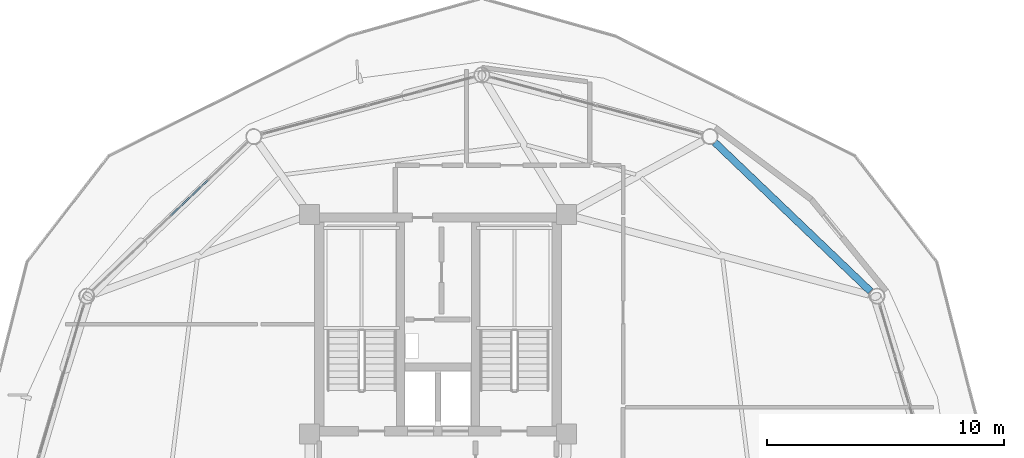
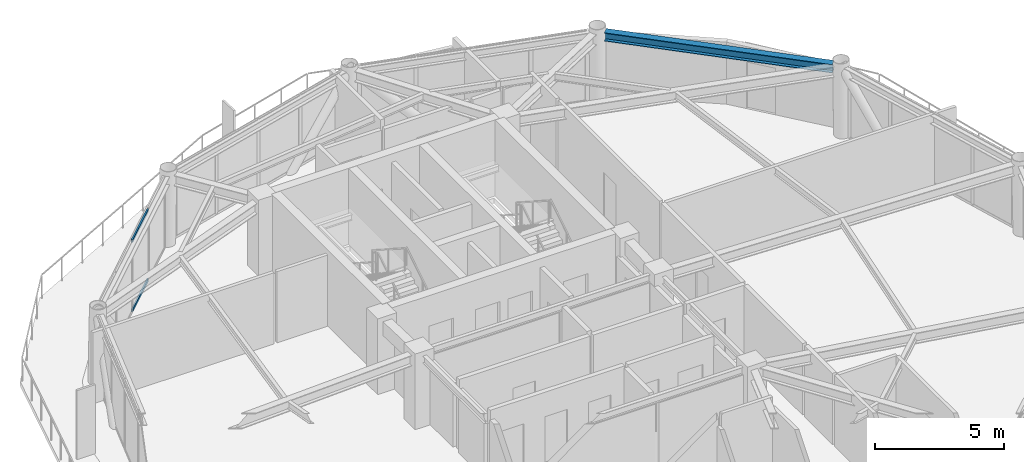
# One storey, part 18 of 28: 2 members, 1 beam, 1 element without a shape of its own.
"""IFC4 building model written with IfcOpenShell, lengths in metres."""

from ifc_helpers import new_model, si_unit, direction, frame, origin, origin_2d, place, context, subcontext, project, spatial, hollow_rectangle, i_section, extrude, material, layer, layer_set, material_profile, profile_set, type_object, element, aggregate, save


model = new_model("IFC4")

# Units and contexts
model_context = context("Model", 3, precision=1e-05, world=origin(), true_north=direction((0.0, 1.0)))
body_context = subcontext(model_context, "Body", "Model", "MODEL_VIEW")
ifc_project = project(units=[si_unit("LENGTHUNIT", "METRE"), si_unit("AREAUNIT", "SQUARE_METRE"), si_unit("VOLUMEUNIT", "CUBIC_METRE"), si_unit("PLANEANGLEUNIT", "RADIAN"), si_unit("MASSUNIT", "GRAM", prefix="KILO")], contexts=[model_context])

# Site, building, storey
site_placement = place(None, origin())
site = spatial("IfcSite", under=ifc_project, at=site_placement, CompositionType="ELEMENT")
building_placement = place(site_placement, origin())
building = spatial("IfcBuilding", under=site, at=building_placement, Name="Varnakorn Sky Granary", CompositionType="ELEMENT")
storey_placement = place(building_placement, frame((0.0, 0.0, 200.39990234375)))
storey = spatial("IfcBuildingStorey", under=building, at=storey_placement, Name="L50", CompositionType="ELEMENT", Elevation=200.39990234375)

# Beam
ifc_material_1 = material(Name="Steel S355JR", Category="steel")
ifc_material_profile_1 = material_profile(ifc_material_1, i_section(OverallWidth=0.300048828125, OverallDepth=0.39990234375, WebThickness=0.013427734375, FlangeThickness=0.02392578125, at=origin_2d()), Name="HE 400 B")
ifc_profile_set_1 = profile_set([ifc_material_profile_1], Name="Steel S355JR")
beam_type = type_object("IfcBeamType", Name="BM-SPD-Z4", PredefinedType="SPANDREL", material=ifc_profile_set_1)
beam_placement = place(storey_placement, frame((21.226806640625, 9.389892578125, 3.16015625), z_axis=(-0.722564794513, 0.691303202459, 0.0), x_axis=(-0.691303202459, -0.722564794513, 0.0)))
element("IfcBeam", 1, at=beam_placement, inside=storey, type_object=beam_type, Name="Perimeter Spandrel Ring Beam RB02 L50", PredefinedType="SPANDREL", context=body_context, shape_type="SweptSolid", body=[
    extrude(i_section(OverallWidth=0.300048828125, OverallDepth=0.39990234375, WebThickness=0.013427734375, FlangeThickness=0.02392578125, at=origin_2d()), origin(), (0.0, 0.0, 1.0), 9.08251953125),
])

# Curtain wall, members
ifc_material_2 = material(Name="Anodised Bronze Aluminium Alloy 6063-T6", Category="aluminium")
ifc_layer = layer(ifc_material_2, 0.169921875, Name="Anodised Bronze Aluminium Alloy 6063-T6")
ifc_layer_set = layer_set([ifc_layer], Name="Anodised Bronze Aluminium Alloy 6063-T6")
curtain_wall_type = type_object("IfcCurtainWallType", Name="CW-LAB-1", PredefinedType="USERDEFINED", material=ifc_layer_set)
curtain_wall_placement = place(storey_placement, origin())
curtain_wall = element("IfcCurtainWall", 2, at=curtain_wall_placement, inside=storey, type_object=curtain_wall_type, Name="Unitised Curtain Wall CW5 CW-L50-B05", ObjectType="CURTAIN WALL", PredefinedType="USERDEFINED")
ifc_material_profile_2 = material_profile(ifc_material_2, hollow_rectangle(XDim=0.070068359375, YDim=0.139892578125, WallThickness=0.00341796875, at=origin_2d()), Name="ALU TRAN 70x140")
ifc_profile_set_2 = profile_set([ifc_material_profile_2], Name="Anodised Bronze Aluminium Alloy 6063-T6")
member_type = type_object("IfcMemberType", Name="CW-LAB-1-TRAN", PredefinedType="USERDEFINED", material=ifc_profile_set_2)
member_1_placement = place(storey_placement, frame((-8.268310546875, 12.574951171875, 0.03515625), z_axis=(0.723197507605, 0.690641270845, 0.0), x_axis=(-0.690641270845, 0.723197507605, 0.0)))
member_1 = element("IfcMember", 3, at=member_1_placement, type_object=member_type, Name="CW5 transom 3.1", ObjectType="TRANSOM", PredefinedType="USERDEFINED", context=body_context, shape_type="SweptSolid", body=[
    extrude(hollow_rectangle(XDim=0.070068359375, YDim=0.139892578125, WallThickness=0.00341796875, at=origin_2d()), origin(), (0.0, 0.0, 1.0), 2.1748046875),
])
member_2_placement = place(storey_placement, frame((-8.268310546875, 12.574951171875, 3.3251953125), z_axis=(0.723197507605, 0.690641270845, 0.0), x_axis=(-0.690641270845, 0.723197507605, 0.0)))
member_2 = element("IfcMember", 4, at=member_2_placement, type_object=member_type, Name="CW5 transom 3.2", ObjectType="TRANSOM", PredefinedType="USERDEFINED", context=body_context, shape_type="SweptSolid", body=[
    extrude(hollow_rectangle(XDim=0.070068359375, YDim=0.139892578125, WallThickness=0.00341796875, at=origin_2d()), origin(), (0.0, 0.0, 1.0), 2.1748046875),
])
aggregate(curtain_wall, [member_1, member_2])

save(model, "model.ifc")
